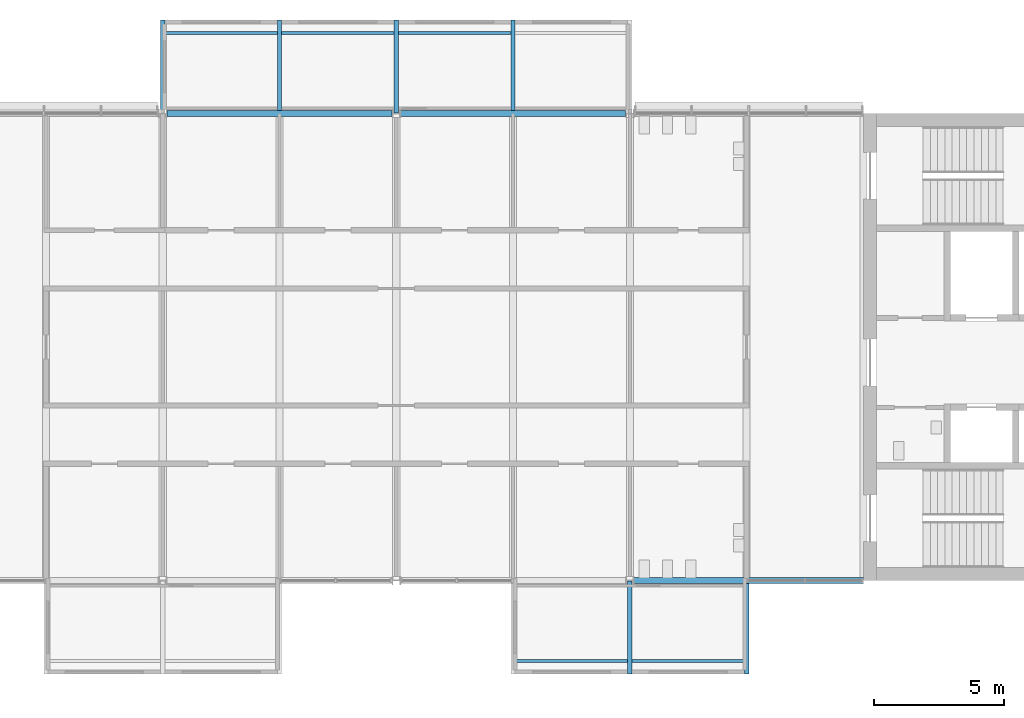
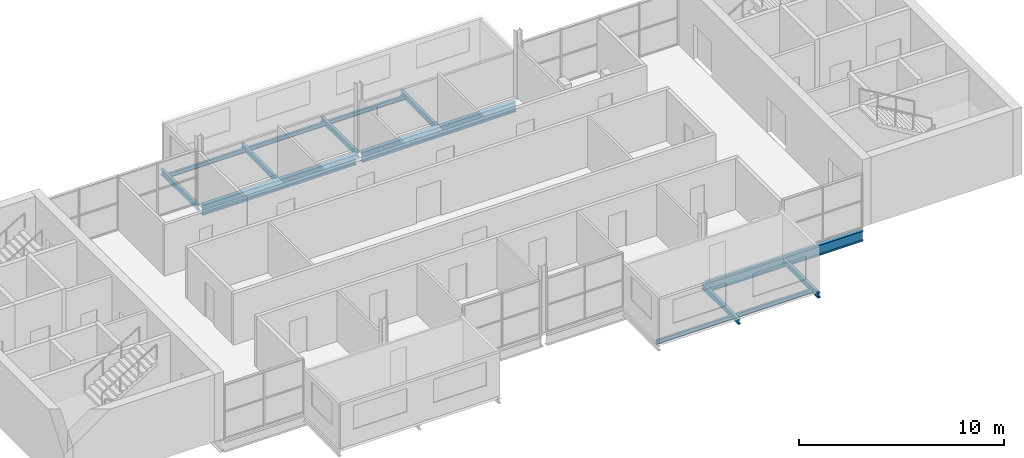
# One storey, part 2 of 10: 14 beams.
"""IFC4 building model written with IfcOpenShell, lengths in metres."""

from ifc_helpers import new_model, si_unit, direction, frame, origin, origin_2d, place, context, subcontext, project, spatial, i_section, extrude, material, material_profile, profile_set, type_object, element, save


model = new_model("IFC4")

# Units and contexts
model_context = context("Model", 3, precision=1e-05, world=origin(), true_north=direction((0.0, 1.0)))
body_context = subcontext(model_context, "Body", "Model", "MODEL_VIEW")
ifc_project = project(units=[si_unit("LENGTHUNIT", "METRE"), si_unit("AREAUNIT", "SQUARE_METRE"), si_unit("VOLUMEUNIT", "CUBIC_METRE"), si_unit("PLANEANGLEUNIT", "RADIAN"), si_unit("MASSUNIT", "GRAM", prefix="KILO")], contexts=[model_context])

# Site, building, storey
site_placement = place(None, origin())
site = spatial("IfcSite", under=ifc_project, at=site_placement, CompositionType="ELEMENT")
building_placement = place(site_placement, origin())
building = spatial("IfcBuilding", under=site, at=building_placement, Name="Corbel Yard City Hall", CompositionType="ELEMENT")
storey_placement = place(building_placement, frame((0.0, 0.0, 59.199951171875)))
storey = spatial("IfcBuildingStorey", under=building, at=storey_placement, Name="L14", CompositionType="ELEMENT", Elevation=59.199951171875)

# Beams
ifc_material = material(Name="Steel Grade 300 (300 MPa yield)", Category="steel")
ifc_material_profile_1 = material_profile(ifc_material, i_section(OverallWidth=0.22900390625, OverallDepth=0.612060546875, WebThickness=0.011962890625, FlangeThickness=0.01953125, at=origin_2d()), Name="610UB125")
ifc_profile_set_1 = profile_set([ifc_material_profile_1], Name="Steel Grade 300 (300 MPa yield)")
beam_type_1 = type_object("IfcBeamType", Name="Edge beam 610UB125", PredefinedType="BEAM", material=ifc_profile_set_1)
beam_1_placement = place(storey_placement, frame((36.16357421875, 99.0, -0.4560546875), z_axis=(1.0, 0.0, 0.0), x_axis=(0.0, 1.0, 0.0)))
element("IfcBeam", 1, at=beam_1_placement, inside=storey, type_object=beam_type_1, Name="Edge beam 610UB125 EB7 L14tower", PredefinedType="BEAM", context=body_context, shape_type="SweptSolid", body=[
    extrude(i_section(OverallWidth=0.22900390625, OverallDepth=0.612060546875, WebThickness=0.011962890625, FlangeThickness=0.01953125, at=origin_2d()), origin(), (0.0, 0.0, 1.0), 8.83642578125),
])
for number, where, z_axis, x_axis, name in (
    (2, (18.16357421875, 117.0, -0.4560546875), (1.0, 0.0, 0.0), (0.0, 1.0, 0.0), "Edge beam 610UB125 EB7 L14tower"),
    (3, (27.16357421875, 117.0, -0.4560546875), (1.0, 0.0, 0.0), (0.0, 1.0, 0.0), "Edge beam 610UB125 EB7 L14tower"),
):
    element("IfcBeam", number, at=place(storey_placement, frame(where, z_axis=z_axis, x_axis=x_axis)), inside=storey, type_object=beam_type_1, Name=name, PredefinedType="BEAM", context=body_context, shape_type="SweptSolid", body=[
        extrude(i_section(OverallWidth=0.22900390625, OverallDepth=0.612060546875, WebThickness=0.011962890625, FlangeThickness=0.01953125, at=origin_2d()), origin(), (0.0, 0.0, 1.0), 8.6728515625),
    ])
ifc_material_profile_2 = material_profile(ifc_material, i_section(OverallWidth=0.166015625, OverallDepth=0.306884765625, WebThickness=0.006591796875, FlangeThickness=0.01171875, at=origin_2d()), Name="310UB46.2")
ifc_profile_set_2 = profile_set([ifc_material_profile_2], Name="Steel Grade 300 (300 MPa yield)")
beam_type_2 = type_object("IfcBeamType", Name="Pod stub beam 310UB46.2", PredefinedType="BEAM", material=ifc_profile_set_2)
beam_2_placement = place(storey_placement, frame((36.0, 95.39990234375, -0.303466796875), z_axis=(0.0, 1.0, 0.0), x_axis=(-1.0, 0.0, 0.0)))
element("IfcBeam", 4, at=beam_2_placement, inside=storey, type_object=beam_type_2, Name="Pod stub 310UB46.2 CB1 L14", PredefinedType="BEAM", context=body_context, shape_type="SweptSolid", body=[
    extrude(i_section(OverallWidth=0.166015625, OverallDepth=0.306884765625, WebThickness=0.006591796875, FlangeThickness=0.01171875, at=origin_2d()), origin(), (0.0, 0.0, 1.0), 3.59228515625),
])
beam_3_placement = place(storey_placement, frame((40.5, 95.39990234375, -0.303466796875), z_axis=(0.0, 1.0, 0.0), x_axis=(-1.0, 0.0, 0.0)))
element("IfcBeam", 5, at=beam_3_placement, inside=storey, type_object=beam_type_2, Name="Pod stub 310UB46.2 CB1 L14", PredefinedType="BEAM", context=body_context, shape_type="SweptSolid", body=[
    extrude(i_section(OverallWidth=0.166015625, OverallDepth=0.306884765625, WebThickness=0.006591796875, FlangeThickness=0.01171875, at=origin_2d()), origin(), (0.0, 0.0, 1.0), 3.485595703125),
])
beam_4_placement = place(storey_placement, frame((18.0, 117.0078125, -0.303466796875), z_axis=(0.0, 1.0, 0.0), x_axis=(-1.0, 0.0, 0.0)))
element("IfcBeam", 6, at=beam_4_placement, inside=storey, type_object=beam_type_2, Name="Pod stub 310UB46.2 CB1 L14", PredefinedType="BEAM", context=body_context, shape_type="SweptSolid", body=[
    extrude(i_section(OverallWidth=0.166015625, OverallDepth=0.306884765625, WebThickness=0.006591796875, FlangeThickness=0.01171875, at=origin_2d()), origin(), (0.0, 0.0, 1.0), 3.59228515625),
])
beam_5_placement = place(storey_placement, frame((22.5, 117.114501953125, -0.303466796875), z_axis=(0.0, 1.0, 0.0), x_axis=(-1.0, 0.0, 0.0)))
element("IfcBeam", 7, at=beam_5_placement, inside=storey, type_object=beam_type_2, Name="Pod stub 310UB46.2 CB1 L14", PredefinedType="BEAM", context=body_context, shape_type="SweptSolid", body=[
    extrude(i_section(OverallWidth=0.166015625, OverallDepth=0.306884765625, WebThickness=0.006591796875, FlangeThickness=0.01171875, at=origin_2d()), origin(), (0.0, 0.0, 1.0), 3.485595703125),
])
beam_6_placement = place(storey_placement, frame((27.0, 117.0078125, -0.303466796875), z_axis=(0.0, 1.0, 0.0), x_axis=(-1.0, 0.0, 0.0)))
element("IfcBeam", 8, at=beam_6_placement, inside=storey, type_object=beam_type_2, Name="Pod stub 310UB46.2 CB1 L14", PredefinedType="BEAM", context=body_context, shape_type="SweptSolid", body=[
    extrude(i_section(OverallWidth=0.166015625, OverallDepth=0.306884765625, WebThickness=0.006591796875, FlangeThickness=0.01171875, at=origin_2d()), origin(), (0.0, 0.0, 1.0), 3.59228515625),
])
beam_7_placement = place(storey_placement, frame((31.5, 117.114501953125, -0.303466796875), z_axis=(0.0, 1.0, 0.0), x_axis=(-1.0, 0.0, 0.0)))
element("IfcBeam", 9, at=beam_7_placement, inside=storey, type_object=beam_type_2, Name="Pod stub 310UB46.2 CB1 L14", PredefinedType="BEAM", context=body_context, shape_type="SweptSolid", body=[
    extrude(i_section(OverallWidth=0.166015625, OverallDepth=0.306884765625, WebThickness=0.006591796875, FlangeThickness=0.01171875, at=origin_2d()), origin(), (0.0, 0.0, 1.0), 3.485595703125),
])
ifc_material_profile_3 = material_profile(ifc_material, i_section(OverallWidth=0.1240234375, OverallDepth=0.248046875, WebThickness=0.0048828125, FlangeThickness=0.008056640625, at=origin_2d()), Name="250UB25.7")
ifc_profile_set_3 = profile_set([ifc_material_profile_3], Name="Steel Grade 300 (300 MPa yield)")
beam_type_3 = type_object("IfcBeamType", Name="Pod tip beam", PredefinedType="BEAM", material=ifc_profile_set_3)
for number, where, z_axis, x_axis, name in (
    (10, (31.5830078125, 95.89990234375, -0.27392578125), (1.0, 0.0, 0.0), (0.0, 1.0, 0.0), "Pod tip beam"),
    (11, (36.0830078125, 95.89990234375, -0.27392578125), (1.0, 0.0, 0.0), (0.0, 1.0, 0.0), "Pod tip beam"),
    (12, (18.0830078125, 120.10009765625, -0.27392578125), (1.0, 0.0, 0.0), (0.0, 1.0, 0.0), "Pod tip beam"),
    (13, (22.5830078125, 120.10009765625, -0.27392578125), (1.0, 0.0, 0.0), (0.0, 1.0, 0.0), "Pod tip beam"),
    (14, (27.0830078125, 120.10009765625, -0.27392578125), (1.0, 0.0, 0.0), (0.0, 1.0, 0.0), "Pod tip beam"),
):
    element("IfcBeam", number, at=place(storey_placement, frame(where, z_axis=z_axis, x_axis=x_axis)), inside=storey, type_object=beam_type_3, Name=name, PredefinedType="BEAM", context=body_context, shape_type="SweptSolid", body=[
        extrude(i_section(OverallWidth=0.1240234375, OverallDepth=0.248046875, WebThickness=0.0048828125, FlangeThickness=0.008056640625, at=origin_2d()), origin(), (0.0, 0.0, 1.0), 4.333984375),
    ])

save(model, "model.ifc")
